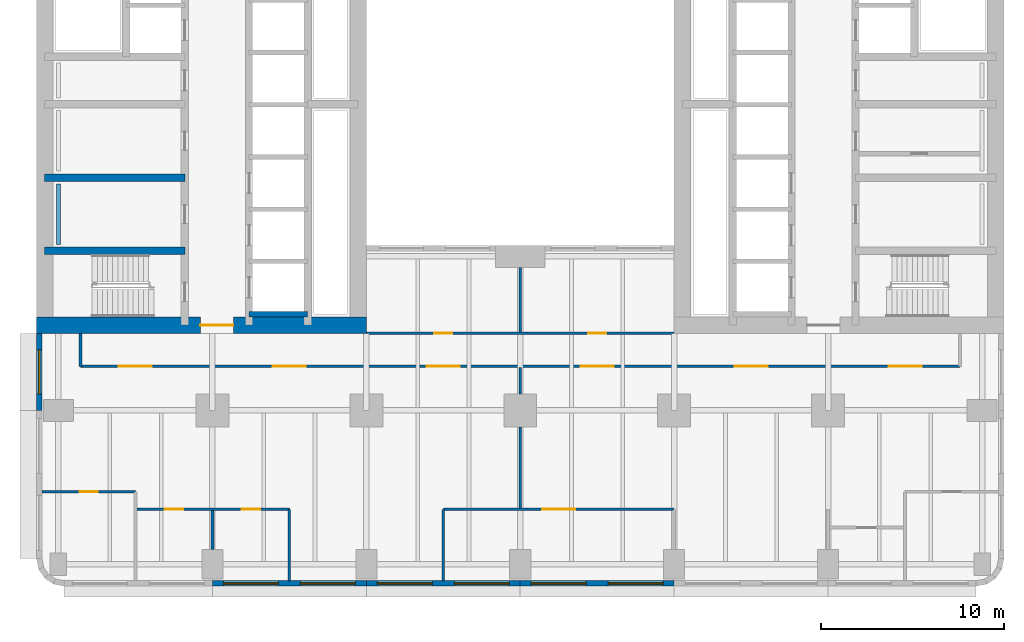
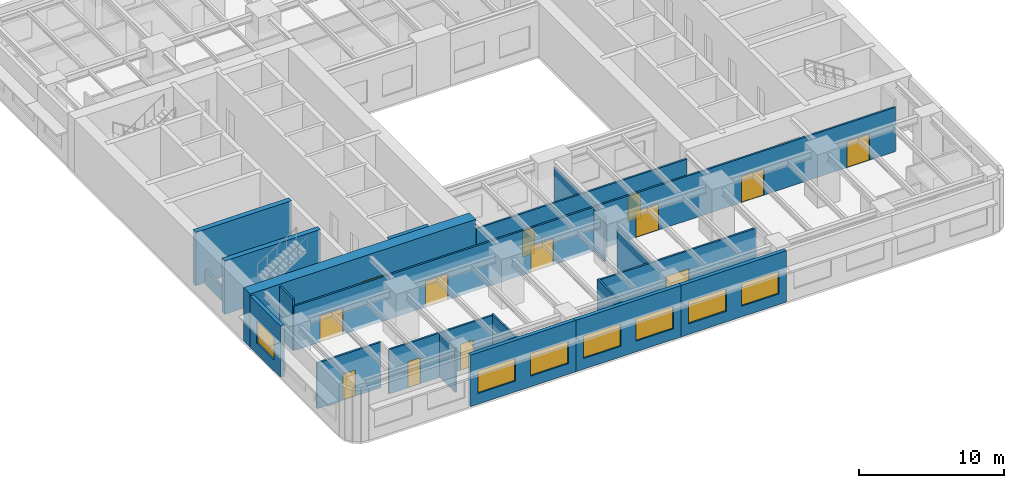
# One storey, part 3 of 12: 21 walls, 13 doors, 7 windows, 20 openings.
"""IFC4 building model written with IfcOpenShell, lengths in metres."""

import ifcopenshell
import ifcopenshell.guid

model = None  # the IFC model being written
_history = None  # IfcOwnerHistory: only IFC2X3 demands one
_inside = {}  # id of a spatial element -> (the spatial element, [elements in it])
_under = {}  # id of a project, library or spatial element -> (it, [spatial elements below it])
_declared = {}  # id of a project -> (the project, [libraries it declares])
_typed = {}  # id of a type object -> (the type object, [elements of that type])
_made_of = {}  # id of a material, layer set ... -> (it, [elements and type objects made of it])


def new_model(schema):
    """Start an empty IFC model of exactly this schema.

    Asked for "IFC4X3", IfcOpenShell would pick the latest addendum, in which some entities
    have other attributes; the version numbers below select the first issue.
    IFC2X3 requires an IfcOwnerHistory on every rooted entity: one is made here for all.
    """
    global model, _history
    if schema == "IFC4X3":
        model = ifcopenshell.file(schema_version=(4, 3, 0, 0))
    else:
        model = ifcopenshell.file(schema=schema)
    _inside.clear()
    _under.clear()
    _declared.clear()
    _typed.clear()
    _made_of.clear()
    _history = None
    if model.schema == "IFC2X3":
        org = make("IfcOrganization", Name="unknown")
        user = make(
            "IfcPersonAndOrganization",
            ThePerson=make("IfcPerson", FamilyName="unknown"),
            TheOrganization=org,
        )
        app = make(
            "IfcApplication",
            ApplicationDeveloper=org,
            Version="unknown",
            ApplicationFullName="unknown",
            ApplicationIdentifier="unknown",
        )
        _history = make(
            "IfcOwnerHistory",
            OwningUser=user,
            OwningApplication=app,
            ChangeAction="ADDED",
            CreationDate=0,
        )
    return model


def make(cls, **values):
    """One entity of the class cls with the attributes given. An attribute that is None is left unset."""
    return model.create_entity(
        cls, **{name: value for name, value in values.items() if value is not None}
    )


def rooted(cls, **values):
    """An entity with a GlobalId (a new one), such as an element, a storey or a relation."""
    return make(cls, GlobalId=ifcopenshell.guid.new(), OwnerHistory=_history, **values)


def si_unit(unit_type, name, prefix=None):
    """IfcSIUnit, for example si_unit("LENGTHUNIT", "METRE", prefix="MILLI")."""
    return make("IfcSIUnit", UnitType=unit_type, Prefix=prefix, Name=name)


def assignment(units):
    """IfcUnitAssignment: the units of a project."""
    return None if units is None else make("IfcUnitAssignment", Units=units)


def point(xyz):
    """IfcCartesianPoint."""
    return None if xyz is None else make("IfcCartesianPoint", Coordinates=xyz)


def direction(xyz):
    """IfcDirection."""
    return None if xyz is None else make("IfcDirection", DirectionRatios=xyz)


def frame(location, z_axis=None, x_axis=None):
    """IfcAxis2Placement3D, a coordinate frame: its origin and axes. An axis left out is left unset."""
    return make(
        "IfcAxis2Placement3D",
        Location=point(location),
        Axis=direction(z_axis),
        RefDirection=direction(x_axis),
    )


def frame_2d(location, x_axis=None):
    """IfcAxis2Placement2D, a coordinate frame in the plane: its origin and x axis."""
    return make(
        "IfcAxis2Placement2D", Location=point(location), RefDirection=direction(x_axis)
    )


def origin():
    """The frame at (0, 0, 0) with its axes left unset."""
    return frame((0.0, 0.0, 0.0))


def place(relative_to, where):
    """IfcLocalPlacement: puts the frame where relative to a parent placement (None: the world)."""
    return make(
        "IfcLocalPlacement", PlacementRelTo=relative_to, RelativePlacement=where
    )


def context(
    kind, dimensions, precision=None, world=None, true_north=None, identifier=None
):
    """IfcGeometricRepresentationContext, for example the 3D "Model" context."""
    return make(
        "IfcGeometricRepresentationContext",
        ContextIdentifier=identifier,
        ContextType=kind,
        CoordinateSpaceDimension=dimensions,
        Precision=precision,
        WorldCoordinateSystem=world,
        TrueNorth=true_north,
    )


def subcontext(parent, identifier, kind, view, scale=None):
    """IfcGeometricRepresentationSubContext, for example "Body" below "Model"."""
    return make(
        "IfcGeometricRepresentationSubContext",
        ContextIdentifier=identifier,
        ContextType=kind,
        ParentContext=parent,
        TargetScale=scale,
        TargetView=view,
    )


def project(units=None, contexts=None):
    """IfcProject with its units and contexts."""
    return rooted(
        "IfcProject",
        Name="project",
        RepresentationContexts=contexts,
        UnitsInContext=assignment(units),
    )


def spatial(cls, under=None, at=None, **own):
    """A site, building, storey or space (cls), placed at a placement, below another one or the project."""
    s = rooted(cls, ObjectPlacement=at, **own)
    if under is not None:
        _under.setdefault(under.id(), (under, []))[1].append(s)
    return s


def profile(cls, at=None, kind="AREA", **sizes):
    """A parametric profile (cls). Its sizes go by their IFC names, for example OverallWidth=200.0."""
    return make(cls, ProfileType=kind, Position=at, **sizes)


def rectangle(**sizes):
    """IfcRectangleProfileDef."""
    return profile("IfcRectangleProfileDef", **sizes)


def extrude(swept, where, along, depth):
    """IfcExtrudedAreaSolid: the profile swept, set in the frame where, extruded along a direction by depth."""
    return make(
        "IfcExtrudedAreaSolid",
        SweptArea=swept,
        Position=where,
        ExtrudedDirection=direction(along),
        Depth=depth,
    )


def shape(context_of_items, identifier, shape_type, items):
    """IfcShapeRepresentation: the items that make up one representation, for example the "Body"."""
    return make(
        "IfcShapeRepresentation",
        ContextOfItems=context_of_items,
        RepresentationIdentifier=identifier,
        RepresentationType=shape_type,
        Items=items,
    )


def material(Name=None, Category=None):
    """IfcMaterial."""
    return make("IfcMaterial", Name=Name, Category=Category)


def layer(
    of_material, thickness, ventilated=None, Name=None, Category=None, Priority=None
):
    """IfcMaterialLayer: one layer of a wall or slab, of a material (None: an air gap)."""
    return make(
        "IfcMaterialLayer",
        Material=of_material,
        LayerThickness=thickness,
        IsVentilated=ventilated,
        Name=Name,
        Category=Category,
        Priority=Priority,
    )


def layer_set(layers, Name=None):
    """IfcMaterialLayerSet."""
    return make("IfcMaterialLayerSet", MaterialLayers=layers, LayerSetName=Name)


def made_of(thing, what):
    """Note that an element or type object is made of a material, layer set ...; save() writes the relation."""
    if what is not None:
        _made_of.setdefault(what.id(), (what, []))[1].append(thing)
    return thing


def type_object(cls, material=None, **own):
    """A type object (cls), such as IfcWallType, which elements share."""
    return made_of(rooted(cls, **own), material)


def element(
    cls,
    number,
    at=None,
    inside=None,
    cuts=None,
    type_object=None,
    material=None,
    context=None,
    identifier="Body",
    shape_type=None,
    held_by="IfcProductDefinitionShape",
    body=None,
    shapes=None,
    **own,
):
    """One element of the class cls, such as IfcWall. Its Tag is "e" and its number.

    at: its placement. inside: the storey or other place that contains it. cuts: it is an
    opening in that element (IfcRelVoidsElement). A single representation is given by context,
    identifier, shape_type and body (its items); several are given by shapes. held_by: the class
    of the entity that holds the representations. save() writes the other relations.
    """
    e = rooted(cls, Tag="e%d" % number, ObjectPlacement=at, **own)
    if body is not None:
        shapes = [shape(context, identifier, shape_type, body)]
    if shapes is not None:
        e.Representation = make(held_by, Representations=shapes)
    if inside is not None:
        _inside.setdefault(inside.id(), (inside, []))[1].append(e)
    if cuts is not None:
        rooted(
            "IfcRelVoidsElement", RelatingBuildingElement=cuts, RelatedOpeningElement=e
        )
    if type_object is not None:
        _typed.setdefault(type_object.id(), (type_object, []))[1].append(e)
    return made_of(e, material)


def fill(opening, filler):
    """IfcRelFillsElement: the door or window that sits in an opening."""
    return rooted(
        "IfcRelFillsElement",
        RelatingOpeningElement=opening,
        RelatedBuildingElement=filler,
    )


def aggregate(whole, parts):
    """IfcRelAggregates: a whole, such as a stair, and the parts it consists of."""
    return rooted("IfcRelAggregates", RelatingObject=whole, RelatedObjects=parts)


def save(model, path):
    """Write the relations noted so far, then the file.

    IfcRelAggregates (storeys below a building ...), IfcRelContainedInSpatialStructure (elements
    in a storey), IfcRelDefinesByType, IfcRelAssociatesMaterial and IfcRelDeclares: one each for
    every whole, place, type object, material and project.
    """
    for whole, parts in _under.values():
        aggregate(whole, parts)
    for where, things in _inside.values():
        rooted(
            "IfcRelContainedInSpatialStructure",
            RelatedElements=things,
            RelatingStructure=where,
        )
    for kind, things in _typed.values():
        rooted("IfcRelDefinesByType", RelatedObjects=things, RelatingType=kind)
    for what, things in _made_of.values():
        rooted("IfcRelAssociatesMaterial", RelatedObjects=things, RelatingMaterial=what)
    for by, libraries in _declared.values():
        rooted("IfcRelDeclares", RelatingContext=by, RelatedDefinitions=libraries)
    model.write(path)


model = new_model("IFC4")

# Units and contexts
model_context = context("Model", 3, precision=1e-05, world=origin(), true_north=direction((0.0, 1.0)))
body_context = subcontext(model_context, "Body", "Model", "MODEL_VIEW")
ifc_project = project(units=[si_unit("LENGTHUNIT", "METRE"), si_unit("AREAUNIT", "SQUARE_METRE"), si_unit("VOLUMEUNIT", "CUBIC_METRE"), si_unit("PLANEANGLEUNIT", "RADIAN"), si_unit("MASSUNIT", "GRAM", prefix="KILO")], contexts=[model_context])

# Site, building, storey
site_placement = place(None, origin())
site = spatial("IfcSite", under=ifc_project, at=site_placement, CompositionType="ELEMENT")
building_placement = place(site_placement, origin())
building = spatial("IfcBuilding", under=site, at=building_placement, Name="Claustro Exchange Tower", CompositionType="ELEMENT")
storey_placement = place(building_placement, frame((0.0, 0.0, 45.89990234375)))
storey = spatial("IfcBuildingStorey", under=building, at=storey_placement, Name="L10", CompositionType="ELEMENT", Elevation=45.89990234375)

# Wall, opening, door
ifc_material_1 = material(Name="Gypsum board on steel studs", Category="steel")
ifc_layer_1 = layer(ifc_material_1, 0.14990234375)
ifc_layer_set_1 = layer_set([ifc_layer_1], Name="Gypsum board on steel studs")
wall_type_1 = type_object("IfcWallType", Name="P1 150 plasterboard partition", PredefinedType="PARTITIONING", material=ifc_layer_set_1)
wall_1_placement = place(storey_placement, frame((-0.902099609375, 3.949951171875, 0.0), z_axis=(0.0, 0.0, 1.0), x_axis=(1.0, 0.0, 0.0)))
wall_1 = element("IfcWall", 1, at=wall_1_placement, inside=storey, type_object=wall_type_1, Name="Partition P1 L10", PredefinedType="PARTITIONING", context=body_context, shape_type="SweptSolid", body=[
    extrude(rectangle(XDim=5.10205078125, YDim=0.14990234375, at=frame_2d((2.551025390625, 0.0))), origin(), (0.0, 0.0, 1.0), 3.840087890625),
])
opening_1_placement = place(wall_1_placement, frame((2.052001953125, 0.0, 0.0)))
opening_1 = element("IfcOpeningElement", 2, at=opening_1_placement, cuts=wall_1, Name="Opening D1", PredefinedType="OPENING", context=body_context, shape_type="SweptSolid", body=[
    extrude(rectangle(XDim=1.0, YDim=2.199951171875, at=frame_2d((0.5, 1.10009765625))), frame((0.0, 0.0849609375, 0.0), z_axis=(0.0, -1.0, 0.0), x_axis=(1.0, 0.0, 0.0)), (0.0, 0.0, 1.0), 0.169921875),
])
ifc_material_2 = material(Name="Timber door, oak veneer", Category="wood")
door_type_1 = type_object("IfcDoorType", Name="D1 1000 x 2200 single door", OperationType="SINGLE_SWING_LEFT", PredefinedType="DOOR", material=ifc_material_2)
door_1_placement = place(opening_1_placement, frame((1.0, 0.0, 0.0), z_axis=(0.0, 0.0, 1.0), x_axis=(-1.0, 0.0, 0.0)))
door_1 = element("IfcDoor", 3, at=door_1_placement, inside=storey, type_object=door_type_1, Name="Door D1 L10", OperationType="SINGLE_SWING_LEFT", OverallHeight=2.199951171875, OverallWidth=1.0, PredefinedType="DOOR", context=body_context, shape_type="SweptSolid", body=[
    extrude(rectangle(XDim=1.0, YDim=2.199951171875, at=frame_2d((0.5, 1.10009765625))), frame((0.0, 0.02490234375, 0.0), z_axis=(0.0, -1.0, 0.0), x_axis=(1.0, 0.0, 0.0)), (0.0, 0.0, 1.0), 0.050048828125),
])
fill(opening_1, door_1)

# Wall, openings, doors
wall_2_placement = place(storey_placement, frame((4.27392578125, 3.0, 0.0), z_axis=(0.0, 0.0, 1.0), x_axis=(1.0, 0.0, 0.0)))
wall_2 = element("IfcWall", 4, at=wall_2_placement, inside=storey, type_object=wall_type_1, Name="Partition P1 L10", PredefinedType="PARTITIONING", context=body_context, shape_type="SweptSolid", body=[
    extrude(rectangle(XDim=8.326171875, YDim=0.14990234375, at=frame_2d((4.1630859375, 0.0))), origin(), (0.0, 0.0, 1.0), 3.739990234375),
])
opening_2_placement = place(wall_2_placement, frame((1.52587890625, 0.0, 0.0)))
opening_2 = element("IfcOpeningElement", 5, at=opening_2_placement, cuts=wall_2, Name="Opening D1", PredefinedType="OPENING", context=body_context, shape_type="SweptSolid", body=[
    extrude(rectangle(XDim=1.0, YDim=2.199951171875, at=frame_2d((0.5, 1.10009765625))), frame((0.0, 0.0849609375, 0.0), z_axis=(0.0, -1.0, 0.0), x_axis=(1.0, 0.0, 0.0)), (0.0, 0.0, 1.0), 0.169921875),
])
opening_3_placement = place(wall_2_placement, frame((5.72607421875, 0.0, 0.0)))
opening_3 = element("IfcOpeningElement", 6, at=opening_3_placement, cuts=wall_2, Name="Opening D1", PredefinedType="OPENING", context=body_context, shape_type="SweptSolid", body=[
    extrude(rectangle(XDim=1.0, YDim=2.199951171875, at=frame_2d((0.5, 1.10009765625))), frame((0.0, 0.0849609375, 0.0), z_axis=(0.0, -1.0, 0.0), x_axis=(1.0, 0.0, 0.0)), (0.0, 0.0, 1.0), 0.169921875),
])
door_2_placement = place(opening_2_placement, frame((1.0, 0.0, 0.0), z_axis=(0.0, 0.0, 1.0), x_axis=(-1.0, 0.0, 0.0)))
door_2 = element("IfcDoor", 7, at=door_2_placement, inside=storey, type_object=door_type_1, Name="Door D1 L10", OperationType="SINGLE_SWING_RIGHT", OverallHeight=2.199951171875, OverallWidth=1.0, PredefinedType="DOOR", context=body_context, shape_type="SweptSolid", body=[
    extrude(rectangle(XDim=1.0, YDim=2.199951171875, at=frame_2d((0.5, 1.10009765625))), frame((0.0, 0.02490234375, 0.0), z_axis=(0.0, -1.0, 0.0), x_axis=(1.0, 0.0, 0.0)), (0.0, 0.0, 1.0), 0.050048828125),
])
fill(opening_2, door_2)
door_3_placement = place(opening_3_placement, frame((1.0, 0.0, 0.0), z_axis=(0.0, 0.0, 1.0), x_axis=(-1.0, 0.0, 0.0)))
door_3 = element("IfcDoor", 8, at=door_3_placement, inside=storey, type_object=door_type_1, Name="Door D1 L10", OperationType="SINGLE_SWING_RIGHT", OverallHeight=2.199951171875, OverallWidth=1.0, PredefinedType="DOOR", context=body_context, shape_type="SweptSolid", body=[
    extrude(rectangle(XDim=1.0, YDim=2.199951171875, at=frame_2d((0.5, 1.10009765625))), frame((0.0, 0.02490234375, 0.0), z_axis=(0.0, -1.0, 0.0), x_axis=(1.0, 0.0, 0.0)), (0.0, 0.0, 1.0), 0.050048828125),
])
fill(opening_3, door_3)

# Walls
wall_3_placement = place(storey_placement, frame((8.39990234375, 0.799072265625, 0.0), z_axis=(0.0, 0.0, 1.0), x_axis=(0.0, 1.0, 0.0)))
element("IfcWall", 9, at=wall_3_placement, inside=storey, type_object=wall_type_1, Name="Partition P1 L10", PredefinedType="PARTITIONING", context=body_context, shape_type="SweptSolid", body=[
    extrude(rectangle(XDim=2.126953125, YDim=0.14990234375, at=frame_2d((1.0634765625, 0.0))), origin(), (0.0, 0.0, 1.0), 3.739990234375),
])
wall_4_placement = place(storey_placement, frame((12.60009765625, -0.902099609375, 0.0), z_axis=(0.0, 0.0, 1.0), x_axis=(0.0, 1.0, 0.0)))
element("IfcWall", 10, at=wall_4_placement, inside=storey, type_object=wall_type_1, Name="Partition P1 L10", PredefinedType="PARTITIONING", context=body_context, shape_type="SweptSolid", body=[
    extrude(rectangle(XDim=3.902099609375, YDim=0.14990234375, at=frame_2d((1.951171875, 0.0))), origin(), (0.0, 0.0, 1.0), 3.840087890625),
])

# Wall, opening, door
wall_5_placement = place(storey_placement, frame((21.0, 3.0, 0.0), z_axis=(0.0, 0.0, 1.0), x_axis=(1.0, 0.0, 0.0)))
wall_5 = element("IfcWall", 11, at=wall_5_placement, inside=storey, type_object=wall_type_1, Name="Partition P1 L10", PredefinedType="PARTITIONING", context=body_context, shape_type="SweptSolid", body=[
    extrude(rectangle(XDim=12.60009765625, YDim=0.14990234375, at=frame_2d((6.300048828125, 0.0))), origin(), (0.0, 0.0, 1.0), 3.739990234375),
])
opening_4_placement = place(wall_5_placement, frame((5.39990234375, 0.0, 0.0)))
opening_4 = element("IfcOpeningElement", 12, at=opening_4_placement, cuts=wall_5, Name="Opening D2", PredefinedType="OPENING", context=body_context, shape_type="SweptSolid", body=[
    extrude(rectangle(XDim=1.800048828125, YDim=2.199951171875, at=frame_2d((0.89990234375, 1.10009765625))), frame((0.0, 0.0849609375, 0.0), z_axis=(0.0, -1.0, 0.0), x_axis=(1.0, 0.0, 0.0)), (0.0, 0.0, 1.0), 0.169921875),
])
ifc_material_3 = material(Name="Timber door, oak veneer", Category="wood")
door_type_2 = type_object("IfcDoorType", Name="D2 1800 x 2200 double door", OperationType="DOUBLE_DOOR_SINGLE_SWING", PredefinedType="DOOR", material=ifc_material_3)
door_4_placement = place(opening_4_placement, frame((1.800048828125, 0.0, 0.0), z_axis=(0.0, 0.0, 1.0), x_axis=(-1.0, 0.0, 0.0)))
door_4 = element("IfcDoor", 13, at=door_4_placement, inside=storey, type_object=door_type_2, Name="Double door D2 L10", OperationType="DOUBLE_DOOR_SINGLE_SWING", OverallHeight=2.199951171875, OverallWidth=1.800048828125, PredefinedType="DOOR", context=body_context, shape_type="SweptSolid", body=[
    extrude(rectangle(XDim=1.800048828125, YDim=2.199951171875, at=frame_2d((0.89990234375, 1.10009765625))), frame((0.0, 0.02490234375, 0.0), z_axis=(0.0, -1.0, 0.0), x_axis=(1.0, 0.0, 0.0)), (0.0, 0.0, 1.0), 0.050048828125),
])
fill(opening_4, door_4)

# Walls
wall_6_placement = place(storey_placement, frame((21.0, -0.902099609375, 0.0), z_axis=(0.0, 0.0, 1.0), x_axis=(0.0, 1.0, 0.0)))
element("IfcWall", 14, at=wall_6_placement, inside=storey, type_object=wall_type_1, Name="Partition P1 L10", PredefinedType="PARTITIONING", context=body_context, shape_type="SweptSolid", body=[
    extrude(rectangle(XDim=3.902099609375, YDim=0.14990234375, at=frame_2d((1.951171875, 0.0))), origin(), (0.0, 0.0, 1.0), 3.840087890625),
])
wall_7_placement = place(storey_placement, frame((25.199951171875, 3.073974609375, 0.0), z_axis=(0.0, 0.0, 1.0), x_axis=(0.0, 1.0, 0.0)))
element("IfcWall", 15, at=wall_7_placement, inside=storey, type_object=wall_type_1, Name="Partition P1 L10", PredefinedType="PARTITIONING", context=body_context, shape_type="SweptSolid", body=[
    extrude(rectangle(XDim=4.427001953125, YDim=0.14990234375, at=frame_2d((2.21337890625, 0.0))), origin(), (0.0, 0.0, 1.0), 3.739990234375),
])
wall_8_placement = place(storey_placement, frame((25.199951171875, 9.299072265625, 0.0), z_axis=(0.0, 0.0, 1.0), x_axis=(0.0, 1.0, 0.0)))
element("IfcWall", 16, at=wall_8_placement, inside=storey, type_object=wall_type_1, Name="Partition P1 L10", PredefinedType="PARTITIONING", context=body_context, shape_type="SweptSolid", body=[
    extrude(rectangle(XDim=1.427001953125, YDim=0.14990234375, at=frame_2d((0.71337890625, 0.0))), origin(), (0.0, 0.0, 1.0), 3.739990234375),
])

# Wall, openings, doors
wall_9_placement = place(storey_placement, frame((1.199951171875, 10.800048828125, 0.0), z_axis=(0.0, 0.0, 1.0), x_axis=(1.0, 0.0, 0.0)))
wall_9 = element("IfcWall", 17, at=wall_9_placement, inside=storey, type_object=wall_type_1, Name="Partition P1 L10", PredefinedType="PARTITIONING", context=body_context, shape_type="SweptSolid", body=[
    extrude(rectangle(XDim=48.0, YDim=0.14990234375, at=frame_2d((24.0, 0.0))), origin(), (0.0, 0.0, 1.0), 3.739990234375),
])
opening_5_placement = place(wall_9_placement, frame((2.10009765625, 0.0, 0.0)))
opening_5 = element("IfcOpeningElement", 18, at=opening_5_placement, cuts=wall_9, Name="Opening D2", PredefinedType="OPENING", context=body_context, shape_type="SweptSolid", body=[
    extrude(rectangle(XDim=1.800048828125, YDim=2.199951171875, at=frame_2d((0.89990234375, 1.10009765625))), frame((0.0, 0.0849609375, 0.0), z_axis=(0.0, -1.0, 0.0), x_axis=(1.0, 0.0, 0.0)), (0.0, 0.0, 1.0), 0.169921875),
])
opening_6_placement = place(wall_9_placement, frame((10.5, 0.0, 0.0)))
opening_6 = element("IfcOpeningElement", 19, at=opening_6_placement, cuts=wall_9, Name="Opening D2", PredefinedType="OPENING", context=body_context, shape_type="SweptSolid", body=[
    extrude(rectangle(XDim=1.800048828125, YDim=2.199951171875, at=frame_2d((0.89990234375, 1.10009765625))), frame((0.0, 0.0849609375, 0.0), z_axis=(0.0, -1.0, 0.0), x_axis=(1.0, 0.0, 0.0)), (0.0, 0.0, 1.0), 0.169921875),
])
opening_7_placement = place(wall_9_placement, frame((18.89990234375, 0.0, 0.0)))
opening_7 = element("IfcOpeningElement", 20, at=opening_7_placement, cuts=wall_9, Name="Opening D2", PredefinedType="OPENING", context=body_context, shape_type="SweptSolid", body=[
    extrude(rectangle(XDim=1.800048828125, YDim=2.199951171875, at=frame_2d((0.89990234375, 1.10009765625))), frame((0.0, 0.0849609375, 0.0), z_axis=(0.0, -1.0, 0.0), x_axis=(1.0, 0.0, 0.0)), (0.0, 0.0, 1.0), 0.169921875),
])
opening_8_placement = place(wall_9_placement, frame((27.300048828125, 0.0, 0.0)))
opening_8 = element("IfcOpeningElement", 21, at=opening_8_placement, cuts=wall_9, Name="Opening D2", PredefinedType="OPENING", context=body_context, shape_type="SweptSolid", body=[
    extrude(rectangle(XDim=1.800048828125, YDim=2.199951171875, at=frame_2d((0.89990234375, 1.10009765625))), frame((0.0, 0.0849609375, 0.0), z_axis=(0.0, -1.0, 0.0), x_axis=(1.0, 0.0, 0.0)), (0.0, 0.0, 1.0), 0.169921875),
])
opening_9_placement = place(wall_9_placement, frame((35.699951171875, 0.0, 0.0)))
opening_9 = element("IfcOpeningElement", 22, at=opening_9_placement, cuts=wall_9, Name="Opening D2", PredefinedType="OPENING", context=body_context, shape_type="SweptSolid", body=[
    extrude(rectangle(XDim=1.800048828125, YDim=2.199951171875, at=frame_2d((0.89990234375, 1.10009765625))), frame((0.0, 0.0849609375, 0.0), z_axis=(0.0, -1.0, 0.0), x_axis=(1.0, 0.0, 0.0)), (0.0, 0.0, 1.0), 0.169921875),
])
opening_10_placement = place(wall_9_placement, frame((44.10009765625, 0.0, 0.0)))
opening_10 = element("IfcOpeningElement", 23, at=opening_10_placement, cuts=wall_9, Name="Opening D2", PredefinedType="OPENING", context=body_context, shape_type="SweptSolid", body=[
    extrude(rectangle(XDim=1.800048828125, YDim=2.199951171875, at=frame_2d((0.89990234375, 1.10009765625))), frame((0.0, 0.0849609375, 0.0), z_axis=(0.0, -1.0, 0.0), x_axis=(1.0, 0.0, 0.0)), (0.0, 0.0, 1.0), 0.169921875),
])
door_5_placement = place(opening_5_placement, frame((1.800048828125, 0.0, 0.0), z_axis=(0.0, 0.0, 1.0), x_axis=(-1.0, 0.0, 0.0)))
door_5 = element("IfcDoor", 24, at=door_5_placement, inside=storey, type_object=door_type_2, Name="Double door D2 L10", OperationType="DOUBLE_DOOR_SINGLE_SWING", OverallHeight=2.199951171875, OverallWidth=1.800048828125, PredefinedType="DOOR", context=body_context, shape_type="SweptSolid", body=[
    extrude(rectangle(XDim=1.800048828125, YDim=2.199951171875, at=frame_2d((0.89990234375, 1.10009765625))), frame((0.0, 0.02490234375, 0.0), z_axis=(0.0, -1.0, 0.0), x_axis=(1.0, 0.0, 0.0)), (0.0, 0.0, 1.0), 0.050048828125),
])
fill(opening_5, door_5)
door_6_placement = place(opening_6_placement, frame((1.800048828125, 0.0, 0.0), z_axis=(0.0, 0.0, 1.0), x_axis=(-1.0, 0.0, 0.0)))
door_6 = element("IfcDoor", 25, at=door_6_placement, inside=storey, type_object=door_type_2, Name="Double door D2 L10", OperationType="DOUBLE_DOOR_SINGLE_SWING", OverallHeight=2.199951171875, OverallWidth=1.800048828125, PredefinedType="DOOR", context=body_context, shape_type="SweptSolid", body=[
    extrude(rectangle(XDim=1.800048828125, YDim=2.199951171875, at=frame_2d((0.89990234375, 1.10009765625))), frame((0.0, 0.02490234375, 0.0), z_axis=(0.0, -1.0, 0.0), x_axis=(1.0, 0.0, 0.0)), (0.0, 0.0, 1.0), 0.050048828125),
])
fill(opening_6, door_6)
door_7_placement = place(opening_7_placement, frame((1.800048828125, 0.0, 0.0), z_axis=(0.0, 0.0, 1.0), x_axis=(-1.0, 0.0, 0.0)))
door_7 = element("IfcDoor", 26, at=door_7_placement, inside=storey, type_object=door_type_2, Name="Double door D2 L10", OperationType="DOUBLE_DOOR_SINGLE_SWING", OverallHeight=2.199951171875, OverallWidth=1.800048828125, PredefinedType="DOOR", context=body_context, shape_type="SweptSolid", body=[
    extrude(rectangle(XDim=1.800048828125, YDim=2.199951171875, at=frame_2d((0.89990234375, 1.10009765625))), frame((0.0, 0.02490234375, 0.0), z_axis=(0.0, -1.0, 0.0), x_axis=(1.0, 0.0, 0.0)), (0.0, 0.0, 1.0), 0.050048828125),
])
fill(opening_7, door_7)
door_8_placement = place(opening_8_placement, frame((1.800048828125, 0.0, 0.0), z_axis=(0.0, 0.0, 1.0), x_axis=(-1.0, 0.0, 0.0)))
door_8 = element("IfcDoor", 27, at=door_8_placement, inside=storey, type_object=door_type_2, Name="Double door D2 L10", OperationType="DOUBLE_DOOR_SINGLE_SWING", OverallHeight=2.199951171875, OverallWidth=1.800048828125, PredefinedType="DOOR", context=body_context, shape_type="SweptSolid", body=[
    extrude(rectangle(XDim=1.800048828125, YDim=2.199951171875, at=frame_2d((0.89990234375, 1.10009765625))), frame((0.0, 0.02490234375, 0.0), z_axis=(0.0, -1.0, 0.0), x_axis=(1.0, 0.0, 0.0)), (0.0, 0.0, 1.0), 0.050048828125),
])
fill(opening_8, door_8)
door_9_placement = place(opening_9_placement, frame((1.800048828125, 0.0, 0.0), z_axis=(0.0, 0.0, 1.0), x_axis=(-1.0, 0.0, 0.0)))
door_9 = element("IfcDoor", 28, at=door_9_placement, inside=storey, type_object=door_type_2, Name="Double door D2 L10", OperationType="DOUBLE_DOOR_SINGLE_SWING", OverallHeight=2.199951171875, OverallWidth=1.800048828125, PredefinedType="DOOR", context=body_context, shape_type="SweptSolid", body=[
    extrude(rectangle(XDim=1.800048828125, YDim=2.199951171875, at=frame_2d((0.89990234375, 1.10009765625))), frame((0.0, 0.02490234375, 0.0), z_axis=(0.0, -1.0, 0.0), x_axis=(1.0, 0.0, 0.0)), (0.0, 0.0, 1.0), 0.050048828125),
])
fill(opening_9, door_9)
door_10_placement = place(opening_10_placement, frame((1.800048828125, 0.0, 0.0), z_axis=(0.0, 0.0, 1.0), x_axis=(-1.0, 0.0, 0.0)))
door_10 = element("IfcDoor", 29, at=door_10_placement, inside=storey, type_object=door_type_2, Name="Double door D2 L10", OperationType="DOUBLE_DOOR_SINGLE_SWING", OverallHeight=2.199951171875, OverallWidth=1.800048828125, PredefinedType="DOOR", context=body_context, shape_type="SweptSolid", body=[
    extrude(rectangle(XDim=1.800048828125, YDim=2.199951171875, at=frame_2d((0.89990234375, 1.10009765625))), frame((0.0, 0.02490234375, 0.0), z_axis=(0.0, -1.0, 0.0), x_axis=(1.0, 0.0, 0.0)), (0.0, 0.0, 1.0), 0.050048828125),
])
fill(opening_10, door_10)

# Wall
wall_10_placement = place(storey_placement, frame((1.199951171875, 10.800048828125, 0.0), z_axis=(0.0, 0.0, 1.0), x_axis=(0.0, 1.0, 0.0)))
element("IfcWall", 30, at=wall_10_placement, inside=storey, type_object=wall_type_1, Name="Partition P1 L10", PredefinedType="PARTITIONING", context=body_context, shape_type="SweptSolid", body=[
    extrude(rectangle(XDim=1.802001953125, YDim=0.14990234375, at=frame_2d((0.90087890625, 0.0))), origin(), (0.0, 0.0, 1.0), 4.340087890625),
])

# Wall, openings, doors
wall_11_placement = place(storey_placement, frame((16.820068359375, 12.60009765625, 0.0), z_axis=(0.0, 0.0, 1.0), x_axis=(1.0, 0.0, 0.0)))
wall_11 = element("IfcWall", 31, at=wall_11_placement, inside=storey, type_object=wall_type_1, Name="Partition P1 L10", PredefinedType="PARTITIONING", context=body_context, shape_type="SweptSolid", body=[
    extrude(rectangle(XDim=16.760009765625, YDim=0.14990234375, at=frame_2d((8.3798828125, 0.0))), origin(), (0.0, 0.0, 1.0), 3.739990234375),
])
opening_11_placement = place(wall_11_placement, frame((3.679931640625, 0.0, 0.0)))
opening_11 = element("IfcOpeningElement", 32, at=opening_11_placement, cuts=wall_11, Name="Opening D1", PredefinedType="OPENING", context=body_context, shape_type="SweptSolid", body=[
    extrude(rectangle(XDim=1.0, YDim=2.199951171875, at=frame_2d((0.5, 1.10009765625))), frame((0.0, 0.0849609375, 0.0), z_axis=(0.0, -1.0, 0.0), x_axis=(1.0, 0.0, 0.0)), (0.0, 0.0, 1.0), 0.169921875),
])
opening_12_placement = place(wall_11_placement, frame((12.080078125, 0.0, 0.0)))
opening_12 = element("IfcOpeningElement", 33, at=opening_12_placement, cuts=wall_11, Name="Opening D1", PredefinedType="OPENING", context=body_context, shape_type="SweptSolid", body=[
    extrude(rectangle(XDim=1.0, YDim=2.199951171875, at=frame_2d((0.5, 1.10009765625))), frame((0.0, 0.0849609375, 0.0), z_axis=(0.0, -1.0, 0.0), x_axis=(1.0, 0.0, 0.0)), (0.0, 0.0, 1.0), 0.169921875),
])
door_11_placement = place(opening_11_placement, origin())
door_11 = element("IfcDoor", 34, at=door_11_placement, inside=storey, type_object=door_type_1, Name="Door D1 L10", OperationType="SINGLE_SWING_RIGHT", OverallHeight=2.199951171875, OverallWidth=1.0, PredefinedType="DOOR", context=body_context, shape_type="SweptSolid", body=[
    extrude(rectangle(XDim=1.0, YDim=2.199951171875, at=frame_2d((0.5, 1.10009765625))), frame((0.0, 0.02490234375, 0.0), z_axis=(0.0, -1.0, 0.0), x_axis=(1.0, 0.0, 0.0)), (0.0, 0.0, 1.0), 0.050048828125),
])
fill(opening_11, door_11)
door_12_placement = place(opening_12_placement, origin())
door_12 = element("IfcDoor", 35, at=door_12_placement, inside=storey, type_object=door_type_1, Name="Door D1 L10", OperationType="SINGLE_SWING_LEFT", OverallHeight=2.199951171875, OverallWidth=1.0, PredefinedType="DOOR", context=body_context, shape_type="SweptSolid", body=[
    extrude(rectangle(XDim=1.0, YDim=2.199951171875, at=frame_2d((0.5, 1.10009765625))), frame((0.0, 0.02490234375, 0.0), z_axis=(0.0, -1.0, 0.0), x_axis=(1.0, 0.0, 0.0)), (0.0, 0.0, 1.0), 0.050048828125),
])
fill(opening_12, door_12)

# Wall
wall_12_placement = place(storey_placement, frame((25.199951171875, 12.674072265625, 0.0), z_axis=(0.0, 0.0, 1.0), x_axis=(0.0, 1.0, 0.0)))
element("IfcWall", 36, at=wall_12_placement, inside=storey, type_object=wall_type_1, Name="Partition P1 L10", PredefinedType="PARTITIONING", context=body_context, shape_type="SweptSolid", body=[
    extrude(rectangle(XDim=3.52685546875, YDim=0.14990234375, at=frame_2d((1.763427734375, 0.0))), origin(), (0.0, 0.0, 1.0), 3.739990234375),
])

# Wall, openings, windows
ifc_material_4 = material(Name="Concrete HA-40 (C40/50), precast, white cement, acid-etched", Category="concrete")
ifc_layer_2 = layer(ifc_material_4, 0.300048828125)
ifc_layer_set_2 = layer_set([ifc_layer_2], Name="Concrete HA-40 (C40/50), precast, white cement, acid-etched")
wall_type_2 = type_object("IfcWallType", Name="PC1 300 precast concrete pier panel", PredefinedType="SOLIDWALL", material=ifc_layer_set_2)
wall_13_placement = place(storey_placement, frame((33.60009765625, -1.050048828125, 0.0), z_axis=(0.0, 0.0, 1.0), x_axis=(-1.0, 0.0, 0.0)))
wall_13 = element("IfcWall", 37, at=wall_13_placement, inside=storey, type_object=wall_type_2, Name="Precast pier panel PC1 L10", PredefinedType="SOLIDWALL", context=body_context, shape_type="SweptSolid", body=[
    extrude(rectangle(XDim=8.400146484375, YDim=0.300048828125, at=frame_2d((4.2001953125, 0.0))), origin(), (0.0, 0.0, 1.0), 4.340087890625),
])
opening_13_placement = place(wall_13_placement, frame((0.60009765625, 0.0, 0.89990234375)))
opening_13 = element("IfcOpeningElement", 38, at=opening_13_placement, cuts=wall_13, Name="Opening W1", PredefinedType="OPENING", context=body_context, shape_type="SweptSolid", body=[
    extrude(rectangle(XDim=3.0, YDim=1.89990234375, at=frame_2d((1.5, 0.949951171875))), frame((0.0, 0.159912109375, 0.0), z_axis=(0.0, -1.0, 0.0), x_axis=(1.0, 0.0, 0.0)), (0.0, 0.0, 1.0), 0.320068359375),
])
opening_14_placement = place(wall_13_placement, frame((4.800048828125, 0.0, 0.89990234375)))
opening_14 = element("IfcOpeningElement", 39, at=opening_14_placement, cuts=wall_13, Name="Opening W1", PredefinedType="OPENING", context=body_context, shape_type="SweptSolid", body=[
    extrude(rectangle(XDim=3.0, YDim=1.89990234375, at=frame_2d((1.5, 0.949951171875))), frame((0.0, 0.159912109375, 0.0), z_axis=(0.0, -1.0, 0.0), x_axis=(1.0, 0.0, 0.0)), (0.0, 0.0, 1.0), 0.320068359375),
])
ifc_material_5 = material(Name="Aluminium frame, clear double glazing", Category="aluminium")
window_type_1 = type_object("IfcWindowType", Name="W1 3000 x 1900 window", PartitioningType="SINGLE_PANEL", PredefinedType="WINDOW", material=ifc_material_5)
window_1_placement = place(opening_13_placement, origin())
window_1 = element("IfcWindow", 40, at=window_1_placement, inside=storey, type_object=window_type_1, Name="Window W1 L10", OverallHeight=1.89990234375, OverallWidth=3.0, PartitioningType="SINGLE_PANEL", PredefinedType="WINDOW", context=body_context, shape_type="SweptSolid", body=[
    extrude(rectangle(XDim=3.0, YDim=1.89990234375, at=frame_2d((1.5, 0.949951171875))), frame((0.0, 0.030029296875, 0.0), z_axis=(0.0, -1.0, 0.0), x_axis=(1.0, 0.0, 0.0)), (0.0, 0.0, 1.0), 0.06005859375),
])
fill(opening_13, window_1)
window_2_placement = place(opening_14_placement, origin())
window_2 = element("IfcWindow", 41, at=window_2_placement, inside=storey, type_object=window_type_1, Name="Window W1 L10", OverallHeight=1.89990234375, OverallWidth=3.0, PartitioningType="SINGLE_PANEL", PredefinedType="WINDOW", context=body_context, shape_type="SweptSolid", body=[
    extrude(rectangle(XDim=3.0, YDim=1.89990234375, at=frame_2d((1.5, 0.949951171875))), frame((0.0, 0.030029296875, 0.0), z_axis=(0.0, -1.0, 0.0), x_axis=(1.0, 0.0, 0.0)), (0.0, 0.0, 1.0), 0.06005859375),
])
fill(opening_14, window_2)

wall_14_placement = place(storey_placement, frame((25.199951171875, -1.050048828125, 0.0), z_axis=(0.0, 0.0, 1.0), x_axis=(-1.0, 0.0, 0.0)))
wall_14 = element("IfcWall", 42, at=wall_14_placement, inside=storey, type_object=wall_type_2, Name="Precast pier panel PC1 L10", PredefinedType="SOLIDWALL", context=body_context, shape_type="SweptSolid", body=[
    extrude(rectangle(XDim=8.39990234375, YDim=0.300048828125, at=frame_2d((4.199951171875, 0.0))), origin(), (0.0, 0.0, 1.0), 4.340087890625),
])
opening_15_placement = place(wall_14_placement, frame((0.60009765625, 0.0, 0.89990234375)))
opening_15 = element("IfcOpeningElement", 43, at=opening_15_placement, cuts=wall_14, Name="Opening W1", PredefinedType="OPENING", context=body_context, shape_type="SweptSolid", body=[
    extrude(rectangle(XDim=3.0, YDim=1.89990234375, at=frame_2d((1.5, 0.949951171875))), frame((0.0, 0.159912109375, 0.0), z_axis=(0.0, -1.0, 0.0), x_axis=(1.0, 0.0, 0.0)), (0.0, 0.0, 1.0), 0.320068359375),
])
opening_16_placement = place(wall_14_placement, frame((4.800048828125, 0.0, 0.89990234375)))
opening_16 = element("IfcOpeningElement", 44, at=opening_16_placement, cuts=wall_14, Name="Opening W1", PredefinedType="OPENING", context=body_context, shape_type="SweptSolid", body=[
    extrude(rectangle(XDim=3.0, YDim=1.89990234375, at=frame_2d((1.5, 0.949951171875))), frame((0.0, 0.159912109375, 0.0), z_axis=(0.0, -1.0, 0.0), x_axis=(1.0, 0.0, 0.0)), (0.0, 0.0, 1.0), 0.320068359375),
])
window_3_placement = place(opening_15_placement, origin())
window_3 = element("IfcWindow", 45, at=window_3_placement, inside=storey, type_object=window_type_1, Name="Window W1 L10", OverallHeight=1.89990234375, OverallWidth=3.0, PartitioningType="SINGLE_PANEL", PredefinedType="WINDOW", context=body_context, shape_type="SweptSolid", body=[
    extrude(rectangle(XDim=3.0, YDim=1.89990234375, at=frame_2d((1.5, 0.949951171875))), frame((0.0, 0.030029296875, 0.0), z_axis=(0.0, -1.0, 0.0), x_axis=(1.0, 0.0, 0.0)), (0.0, 0.0, 1.0), 0.06005859375),
])
fill(opening_15, window_3)
window_4_placement = place(opening_16_placement, origin())
window_4 = element("IfcWindow", 46, at=window_4_placement, inside=storey, type_object=window_type_1, Name="Window W1 L10", OverallHeight=1.89990234375, OverallWidth=3.0, PartitioningType="SINGLE_PANEL", PredefinedType="WINDOW", context=body_context, shape_type="SweptSolid", body=[
    extrude(rectangle(XDim=3.0, YDim=1.89990234375, at=frame_2d((1.5, 0.949951171875))), frame((0.0, 0.030029296875, 0.0), z_axis=(0.0, -1.0, 0.0), x_axis=(1.0, 0.0, 0.0)), (0.0, 0.0, 1.0), 0.06005859375),
])
fill(opening_16, window_4)

wall_15_placement = place(storey_placement, frame((16.800048828125, -1.050048828125, 0.0), z_axis=(0.0, 0.0, 1.0), x_axis=(-1.0, 0.0, 0.0)))
wall_15 = element("IfcWall", 47, at=wall_15_placement, inside=storey, type_object=wall_type_2, Name="Precast pier panel PC1 L10", PredefinedType="SOLIDWALL", context=body_context, shape_type="SweptSolid", body=[
    extrude(rectangle(XDim=8.400146484375, YDim=0.300048828125, at=frame_2d((4.2001953125, 0.0))), origin(), (0.0, 0.0, 1.0), 4.340087890625),
])
opening_17_placement = place(wall_15_placement, frame((0.60009765625, 0.0, 0.89990234375)))
opening_17 = element("IfcOpeningElement", 48, at=opening_17_placement, cuts=wall_15, Name="Opening W1", PredefinedType="OPENING", context=body_context, shape_type="SweptSolid", body=[
    extrude(rectangle(XDim=3.0, YDim=1.89990234375, at=frame_2d((1.5, 0.949951171875))), frame((0.0, 0.159912109375, 0.0), z_axis=(0.0, -1.0, 0.0), x_axis=(1.0, 0.0, 0.0)), (0.0, 0.0, 1.0), 0.320068359375),
])
opening_18_placement = place(wall_15_placement, frame((4.800048828125, 0.0, 0.89990234375)))
opening_18 = element("IfcOpeningElement", 49, at=opening_18_placement, cuts=wall_15, Name="Opening W1", PredefinedType="OPENING", context=body_context, shape_type="SweptSolid", body=[
    extrude(rectangle(XDim=3.0, YDim=1.89990234375, at=frame_2d((1.5, 0.949951171875))), frame((0.0, 0.159912109375, 0.0), z_axis=(0.0, -1.0, 0.0), x_axis=(1.0, 0.0, 0.0)), (0.0, 0.0, 1.0), 0.320068359375),
])
window_5_placement = place(opening_17_placement, origin())
window_5 = element("IfcWindow", 50, at=window_5_placement, inside=storey, type_object=window_type_1, Name="Window W1 L10", OverallHeight=1.89990234375, OverallWidth=3.0, PartitioningType="SINGLE_PANEL", PredefinedType="WINDOW", context=body_context, shape_type="SweptSolid", body=[
    extrude(rectangle(XDim=3.0, YDim=1.89990234375, at=frame_2d((1.5, 0.949951171875))), frame((0.0, 0.030029296875, 0.0), z_axis=(0.0, -1.0, 0.0), x_axis=(1.0, 0.0, 0.0)), (0.0, 0.0, 1.0), 0.06005859375),
])
fill(opening_17, window_5)
window_6_placement = place(opening_18_placement, origin())
window_6 = element("IfcWindow", 51, at=window_6_placement, inside=storey, type_object=window_type_1, Name="Window W1 L10", OverallHeight=1.89990234375, OverallWidth=3.0, PartitioningType="SINGLE_PANEL", PredefinedType="WINDOW", context=body_context, shape_type="SweptSolid", body=[
    extrude(rectangle(XDim=3.0, YDim=1.89990234375, at=frame_2d((1.5, 0.949951171875))), frame((0.0, 0.030029296875, 0.0), z_axis=(0.0, -1.0, 0.0), x_axis=(1.0, 0.0, 0.0)), (0.0, 0.0, 1.0), 0.06005859375),
])
fill(opening_18, window_6)

# Wall, opening, window
wall_16_placement = place(storey_placement, frame((-1.050048828125, 8.39990234375, 0.0), z_axis=(0.0, 0.0, 1.0), x_axis=(0.0, 1.0, 0.0)))
wall_16 = element("IfcWall", 52, at=wall_16_placement, inside=storey, type_object=wall_type_2, Name="Precast pier panel PC1 L10", PredefinedType="SOLIDWALL", context=body_context, shape_type="SweptSolid", body=[
    extrude(rectangle(XDim=4.2001953125, YDim=0.300048828125, at=frame_2d((2.10009765625, 0.0))), origin(), (0.0, 0.0, 1.0), 4.340087890625),
])
opening_19_placement = place(wall_16_placement, frame((0.89990234375, 0.0, 0.89990234375)))
opening_19 = element("IfcOpeningElement", 53, at=opening_19_placement, cuts=wall_16, Name="Opening W2", PredefinedType="OPENING", context=body_context, shape_type="SweptSolid", body=[
    extrude(rectangle(XDim=2.39990234375, YDim=1.89990234375, at=frame_2d((1.199951171875, 0.949951171875))), frame((0.0, 0.159912109375, 0.0), z_axis=(0.0, -1.0, 0.0), x_axis=(1.0, 0.0, 0.0)), (0.0, 0.0, 1.0), 0.320068359375),
])
ifc_material_6 = material(Name="Aluminium frame, clear double glazing", Category="aluminium")
window_type_2 = type_object("IfcWindowType", Name="W2 2400 x 1900 window", PartitioningType="SINGLE_PANEL", PredefinedType="WINDOW", material=ifc_material_6)
window_7_placement = place(opening_19_placement, origin())
window_7 = element("IfcWindow", 54, at=window_7_placement, inside=storey, type_object=window_type_2, Name="Window W2 L10", OverallHeight=1.89990234375, OverallWidth=2.39990234375, PartitioningType="SINGLE_PANEL", PredefinedType="WINDOW", context=body_context, shape_type="SweptSolid", body=[
    extrude(rectangle(XDim=2.39990234375, YDim=1.89990234375, at=frame_2d((1.199951171875, 0.949951171875))), frame((0.0, 0.030029296875, 0.0), z_axis=(0.0, -1.0, 0.0), x_axis=(1.0, 0.0, 0.0)), (0.0, 0.0, 1.0), 0.06005859375),
])
fill(opening_19, window_7)

# Wall
ifc_material_7 = material(Name="Gypsum board on steel studs, tiled", Category="steel")
ifc_layer_3 = layer(ifc_material_7, 0.199951171875)
ifc_layer_set_3 = layer_set([ifc_layer_3], Name="Gypsum board on steel studs, tiled")
wall_type_3 = type_object("IfcWallType", Name="PW1 200 WC duct wall", PredefinedType="PLUMBINGWALL", material=ifc_layer_set_3)
wall_17_placement = place(storey_placement, frame((0.0, 17.449951171875, 0.0), z_axis=(0.0, 0.0, 1.0), x_axis=(0.0, 1.0, 0.0)))
element("IfcWall", 55, at=wall_17_placement, inside=storey, type_object=wall_type_3, Name="WC duct wall PW1 L10", PredefinedType="PLUMBINGWALL", context=body_context, shape_type="SweptSolid", body=[
    extrude(rectangle(XDim=3.300048828125, YDim=0.199951171875, at=frame_2d((1.64990234375, 0.0))), origin(), (0.0, 0.0, 1.0), 1.2001953125),
])

# Wall, opening, door
ifc_material_8 = material(Name="Concrete HA-70 (C70/85)", Category="concrete")
ifc_layer_4 = layer(ifc_material_8, 0.89990234375)
ifc_layer_set_4 = layer_set([ifc_layer_4], Name="Concrete HA-70 (C70/85)")
wall_type_4 = type_object("IfcWallType", Name="SW1 900 core shear wall", PredefinedType="SHEAR", material=ifc_layer_set_4)
wall_18_placement = place(storey_placement, frame((-1.199951171875, 13.050048828125, 0.0), z_axis=(0.0, 0.0, 1.0), x_axis=(1.0, 0.0, 0.0)))
wall_18 = element("IfcWall", 56, at=wall_18_placement, inside=storey, type_object=wall_type_4, Name="Core wall SW1 W core S face L10", PredefinedType="SHEAR", context=body_context, shape_type="SweptSolid", body=[
    extrude(rectangle(XDim=18.0, YDim=0.89990234375, at=frame_2d((9.0, 0.0))), origin(), (0.0, 0.0, 1.0), 4.5),
])
opening_20_placement = place(wall_18_placement, frame((8.949951171875, 0.0, 0.0)))
opening_20 = element("IfcOpeningElement", 57, at=opening_20_placement, cuts=wall_18, Name="Opening D3", PredefinedType="OPENING", context=body_context, shape_type="SweptSolid", body=[
    extrude(rectangle(XDim=1.800048828125, YDim=2.39990234375, at=frame_2d((0.89990234375, 1.199951171875))), frame((0.0, 0.4599609375, 0.0), z_axis=(0.0, -1.0, 0.0), x_axis=(1.0, 0.0, 0.0)), (0.0, 0.0, 1.0), 0.919921875),
])
ifc_material_9 = material(Name="Steel fire door, painted", Category="steel")
door_type_3 = type_object("IfcDoorType", Name="D3 1800 x 2400 fire-rated lobby double door", OperationType="DOUBLE_DOOR_SINGLE_SWING", PredefinedType="DOOR", material=ifc_material_9)
door_13_placement = place(opening_20_placement, origin())
door_13 = element("IfcDoor", 58, at=door_13_placement, inside=storey, type_object=door_type_3, Name="Lift lobby door D3 L10", OperationType="DOUBLE_DOOR_SINGLE_SWING", OverallHeight=2.39990234375, OverallWidth=1.800048828125, PredefinedType="DOOR", context=body_context, shape_type="SweptSolid", body=[
    extrude(rectangle(XDim=1.800048828125, YDim=2.39990234375, at=frame_2d((0.89990234375, 1.199951171875))), frame((0.0, 0.02490234375, 0.0), z_axis=(0.0, -1.0, 0.0), x_axis=(1.0, 0.0, 0.0)), (0.0, 0.0, 1.0), 0.050048828125),
])
fill(opening_20, door_13)

# Walls
ifc_material_10 = material(Name="Concrete HA-50 (C50/60)", Category="concrete")
ifc_layer_5 = layer(ifc_material_10, 0.39990234375)
ifc_layer_set_5 = layer_set([ifc_layer_5], Name="Concrete HA-50 (C50/60)")
wall_type_5 = type_object("IfcWallType", Name="SW4 400 internal core wall", PredefinedType="SHEAR", material=ifc_layer_set_5)
for number, where, z_axis, x_axis, name in (
    (59, (-0.75, 17.10009765625, 0.0), (0.0, 0.0, 1.0), (1.0, 0.0, 0.0), "Internal core wall SW4 W core L10"),
    (60, (-0.75, 21.10009765625, 0.0), (0.0, 0.0, 1.0), (1.0, 0.0, 0.0), "Internal core wall SW4 W core L10"),
):
    element("IfcWall", number, at=place(storey_placement, frame(where, z_axis=z_axis, x_axis=x_axis)), inside=storey, type_object=wall_type_5, Name=name, PredefinedType="SHEAR", context=body_context, shape_type="SweptSolid", body=[
        extrude(rectangle(XDim=7.64990234375, YDim=0.39990234375, at=frame_2d((3.824951171875, 0.0))), origin(), (0.0, 0.0, 1.0), 4.5),
    ])
ifc_material_11 = material(Name="Concrete HA-50 (C50/60)", Category="concrete")
ifc_layer_6 = layer(ifc_material_11, 0.300048828125)
ifc_layer_set_6 = layer_set([ifc_layer_6], Name="Concrete HA-50 (C50/60)")
wall_type_6 = type_object("IfcWallType", Name="SW6A 300 lift shaft end wall", PredefinedType="SHEAR", material=ifc_layer_set_6)
wall_19_placement = place(storey_placement, frame((10.39990234375, 13.64990234375, 0.0), z_axis=(0.0, 0.0, 1.0), x_axis=(1.0, 0.0, 0.0)))
element("IfcWall", 61, at=wall_19_placement, inside=storey, type_object=wall_type_6, Name="Lift shaft wall W core L10", PredefinedType="SHEAR", context=body_context, shape_type="SweptSolid", body=[
    extrude(rectangle(XDim=3.2001953125, YDim=0.300048828125, at=frame_2d((1.60009765625, 0.0))), origin(), (0.0, 0.0, 1.0), 4.5),
])

save(model, "model.ifc")
